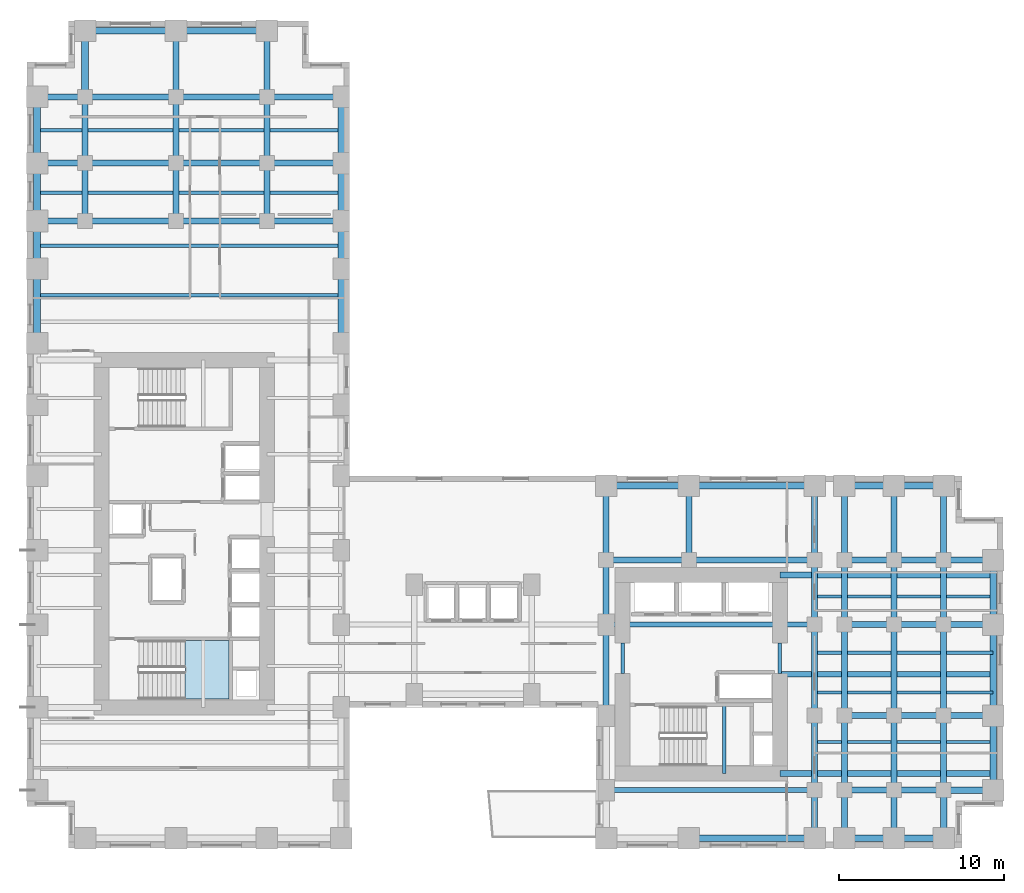
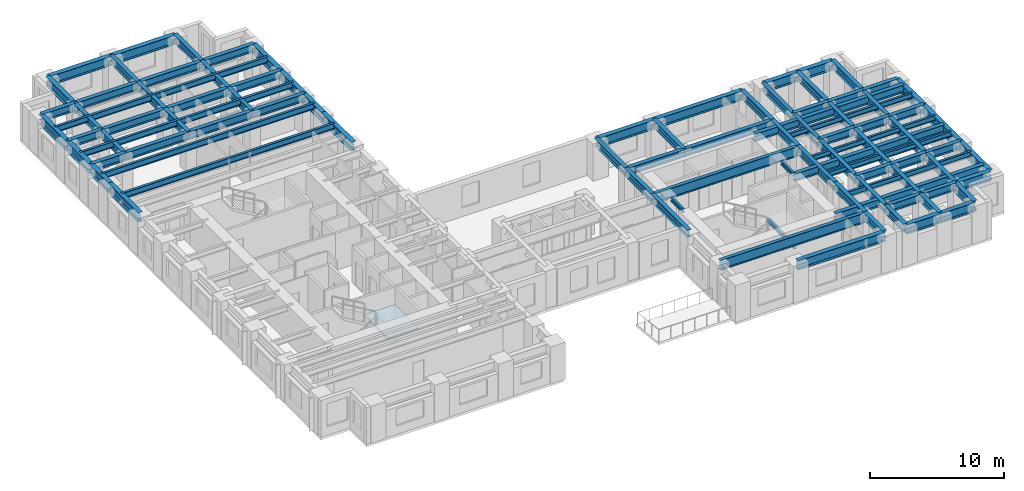
# One storey, part 2 of 12: 95 beams, 1 slab, 1 element without a shape of its own.
"""IFC4 building model written with IfcOpenShell, lengths in metres."""

from ifc_helpers import new_model, si_unit, direction, frame, origin, origin_2d, place, context, subcontext, project, spatial, polyline, i_section, outline, extrude, source, transform, mapped, material, layer, layer_set, material_profile, profile_set, type_object, element, aggregate, save


model = new_model("IFC4")

# Units and contexts
model_context = context("Model", 3, precision=1e-05, world=origin(), true_north=direction((0.0, 1.0)))
body_context = subcontext(model_context, "Body", "Model", "MODEL_VIEW")
ifc_project = project(units=[si_unit("LENGTHUNIT", "METRE"), si_unit("AREAUNIT", "SQUARE_METRE"), si_unit("VOLUMEUNIT", "CUBIC_METRE"), si_unit("PLANEANGLEUNIT", "RADIAN"), si_unit("MASSUNIT", "GRAM", prefix="KILO")], contexts=[model_context])

# Site, building, storey
site_placement = place(None, origin())
site = spatial("IfcSite", under=ifc_project, at=site_placement, CompositionType="ELEMENT")
building_placement = place(site_placement, origin())
building = spatial("IfcBuilding", under=site, at=building_placement, Name="Kharzan Plaza Tower", CompositionType="ELEMENT")
storey_placement = place(building_placement, frame((0.0, 0.0, 33.300048828125)))
storey = spatial("IfcBuildingStorey", under=building, at=storey_placement, Name="L08", CompositionType="ELEMENT", Elevation=33.300048828125)

# Beams
ifc_material_1 = material(Name="Steel S355", Category="steel")
ifc_material_profile_1 = material_profile(ifc_material_1, i_section(OverallWidth=0.205078125, OverallDepth=0.35400390625, WebThickness=0.009521484375, FlangeThickness=0.016845703125, at=origin_2d()), Name="W360x79")
ifc_profile_set_1 = profile_set([ifc_material_profile_1], Name="Steel S355")
beam_type_1 = type_object("IfcBeamType", Name="BM-LNT360", PredefinedType="LINTEL", material=ifc_profile_set_1)
shared_shape_1 = source(origin(), body_context, "Body", "SweptSolid", [
    extrude(i_section(OverallWidth=0.205078125, OverallDepth=0.35400390625, WebThickness=0.009521484375, FlangeThickness=0.016845703125, at=origin_2d()), origin(), (0.0, 0.0, 1.0), 1.849853515625),
])
for number, where, z_axis, x_axis, name in (
    (1, (45.5, 10.550048828125, 3.202880859375), (0.0, 1.0, 0.0), (-1.0, 0.0, 0.0), "L08 CORE-B coupling lintel LN1-WE"),
    (2, (36.0, 10.550048828125, 3.202880859375), (0.0, 1.0, 0.0), (-1.0, 0.0, 0.0), "L08 CORE-B coupling lintel LN1-WW"),
):
    element("IfcBeam", number, at=place(storey_placement, frame(where, z_axis=z_axis, x_axis=x_axis)), inside=storey, type_object=beam_type_1, Name=name, PredefinedType="LINTEL", context=body_context, shape_type="MappedRepresentation", body=[
        mapped(shared_shape_1, transform((0.0, 0.0, 0.0), x_axis=(1.0, 0.0, 0.0), y_axis=(0.0, 1.0, 0.0), z_axis=(0.0, 0.0, 1.0))),
    ])
shared_shape_2 = source(origin(), body_context, "Body", "SweptSolid", [
    extrude(i_section(OverallWidth=0.205078125, OverallDepth=0.35400390625, WebThickness=0.009521484375, FlangeThickness=0.016845703125, at=origin_2d()), origin(), (0.0, 0.0, 1.0), 4.155029296875),
])
beam_1_placement = place(storey_placement, frame((42.14990234375, 4.5, 1.4228515625), z_axis=(0.0, 1.0, 0.0), x_axis=(-1.0, 0.0, 0.0)))
element("IfcBeam", 3, at=beam_1_placement, inside=storey, type_object=beam_type_1, Name="L08 Stair ST-3 Half-Landing Beam", PredefinedType="LINTEL", context=body_context, shape_type="MappedRepresentation", body=[
    mapped(shared_shape_2, transform((0.0, 0.0, 0.0), x_axis=(1.0, 0.0, 0.0), y_axis=(0.0, 1.0, 0.0), z_axis=(0.0, 0.0, 1.0))),
])
ifc_material_profile_2 = material_profile(ifc_material_1, i_section(OverallWidth=0.304931640625, OverallDepth=0.9189453125, WebThickness=0.017333984375, FlangeThickness=0.02783203125, at=origin_2d()), Name="W920x253")
ifc_profile_set_2 = profile_set([ifc_material_profile_2], Name="Steel S355")
beam_type_2 = type_object("IfcBeamType", Name="BM-FG920B", PredefinedType="BEAM", material=ifc_profile_set_2)
shared_shape_3 = source(origin(), body_context, "Body", "SweptSolid", [
    extrude(i_section(OverallWidth=0.304931640625, OverallDepth=0.9189453125, WebThickness=0.017333984375, FlangeThickness=0.02783203125, at=origin_2d()), origin(), (0.0, 0.0, 1.0), 12.60009765625),
])
for number, where, z_axis, x_axis, name in (
    (4, (35.0, 3.5, 2.92041015625), (1.0, 0.0, 0.0), (0.0, 1.0, 0.0), "L08 Primary Floor Girder"),
    (5, (35.0, 13.5, 2.92041015625), (1.0, 0.0, 0.0), (0.0, 1.0, 0.0), "L08 Primary Floor Girder"),
):
    element("IfcBeam", number, at=place(storey_placement, frame(where, z_axis=z_axis, x_axis=x_axis)), inside=storey, type_object=beam_type_2, Name=name, PredefinedType="BEAM", context=body_context, shape_type="MappedRepresentation", body=[
        mapped(shared_shape_3, transform((0.0, 0.0, 0.0), x_axis=(1.0, 0.0, 0.0), y_axis=(0.0, 1.0, 0.0), z_axis=(0.0, 0.0, 1.0))),
    ])
ifc_material_profile_3 = material_profile(ifc_material_1, i_section(OverallWidth=0.35498046875, OverallDepth=0.695068359375, WebThickness=0.015380859375, FlangeThickness=0.02490234375, at=origin_2d()), Name="W690x217")
ifc_profile_set_3 = profile_set([ifc_material_profile_3], Name="Steel S355")
beam_type_3 = type_object("IfcBeamType", Name="BM-FG690A", PredefinedType="BEAM", material=ifc_profile_set_3)
shared_shape_4 = source(origin(), body_context, "Body", "SweptSolid", [
    extrude(i_section(OverallWidth=0.35498046875, OverallDepth=0.695068359375, WebThickness=0.015380859375, FlangeThickness=0.02490234375, at=origin_2d()), origin(), (0.0, 0.0, 1.0), 4.5),
])
for number, where, z_axis, x_axis, name in (
    (6, (35.0, 17.39990234375, 3.032470703125), (0.0, 1.0, 0.0), (-1.0, 0.0, 0.0), "L08 Interior Frame Girder"),
    (7, (40.0, 17.39990234375, 3.032470703125), (0.0, 1.0, 0.0), (-1.0, 0.0, 0.0), "L08 Interior Frame Girder"),
    (8, (47.60009765625, 3.5, 3.032470703125), (0.0, 1.0, 0.0), (-1.0, 0.0, 0.0), "L08 Interior Frame Girder"),
    (9, (47.60009765625, 17.39990234375, 3.032470703125), (0.0, 1.0, 0.0), (-1.0, 0.0, 0.0), "L08 Interior Frame Girder"),
    (10, (49.39990234375, 3.5, 3.032470703125), (0.0, 1.0, 0.0), (-1.0, 0.0, 0.0), "L08 Interior Frame Girder"),
    (11, (49.39990234375, 17.39990234375, 3.032470703125), (0.0, 1.0, 0.0), (-1.0, 0.0, 0.0), "L08 Interior Frame Girder"),
    (12, (52.39990234375, 3.5, 3.032470703125), (0.0, 1.0, 0.0), (-1.0, 0.0, 0.0), "L08 Interior Frame Girder"),
    (13, (52.39990234375, 17.39990234375, 3.032470703125), (0.0, 1.0, 0.0), (-1.0, 0.0, 0.0), "L08 Interior Frame Girder"),
    (14, (55.39990234375, 3.5, 3.032470703125), (0.0, 1.0, 0.0), (-1.0, 0.0, 0.0), "L08 Interior Frame Girder"),
    (15, (55.39990234375, 17.39990234375, 3.032470703125), (0.0, 1.0, 0.0), (-1.0, 0.0, 0.0), "L08 Interior Frame Girder"),
    (16, (14.5, 41.39990234375, 3.032470703125), (1.0, 0.0, 0.0), (0.0, 1.0, 0.0), "L08 Primary Floor Girder"),
    (17, (14.5, 45.39990234375, 3.032470703125), (1.0, 0.0, 0.0), (0.0, 1.0, 0.0), "L08 Primary Floor Girder"),
    (18, (14.5, 37.89990234375, 3.032470703125), (1.0, 0.0, 0.0), (0.0, 1.0, 0.0), "L08 Primary Floor Girder"),
):
    element("IfcBeam", number, at=place(storey_placement, frame(where, z_axis=z_axis, x_axis=x_axis)), inside=storey, type_object=beam_type_3, Name=name, PredefinedType="BEAM", context=body_context, shape_type="MappedRepresentation", body=[
        mapped(shared_shape_4, transform((0.0, 0.0, 0.0), x_axis=(1.0, 0.0, 0.0), y_axis=(0.0, 1.0, 0.0), z_axis=(0.0, 0.0, 1.0))),
    ])
shared_shape_5 = source(origin(), body_context, "Body", "SweptSolid", [
    extrude(i_section(OverallWidth=0.35498046875, OverallDepth=0.695068359375, WebThickness=0.015380859375, FlangeThickness=0.02490234375, at=origin_2d()), origin(), (0.0, 0.0, 1.0), 3.89990234375),
])
for number, where, z_axis, x_axis, name in (
    (19, (35.0, 13.5, 3.032470703125), (0.0, 1.0, 0.0), (-1.0, 0.0, 0.0), "L08 Interior Frame Girder"),
    (20, (47.60009765625, 13.5, 3.032470703125), (0.0, 1.0, 0.0), (-1.0, 0.0, 0.0), "L08 Interior Frame Girder"),
    (21, (49.39990234375, 13.5, 3.032470703125), (0.0, 1.0, 0.0), (-1.0, 0.0, 0.0), "L08 Interior Frame Girder"),
    (22, (52.39990234375, 13.5, 3.032470703125), (0.0, 1.0, 0.0), (-1.0, 0.0, 0.0), "L08 Interior Frame Girder"),
    (23, (55.39990234375, 13.5, 3.032470703125), (0.0, 1.0, 0.0), (-1.0, 0.0, 0.0), "L08 Interior Frame Girder"),
):
    element("IfcBeam", number, at=place(storey_placement, frame(where, z_axis=z_axis, x_axis=x_axis)), inside=storey, type_object=beam_type_3, Name=name, PredefinedType="BEAM", context=body_context, shape_type="MappedRepresentation", body=[
        mapped(shared_shape_5, transform((0.0, 0.0, 0.0), x_axis=(1.0, 0.0, 0.0), y_axis=(0.0, 1.0, 0.0), z_axis=(0.0, 0.0, 1.0))),
    ])
shared_shape_6 = source(origin(), body_context, "Body", "SweptSolid", [
    extrude(i_section(OverallWidth=0.35498046875, OverallDepth=0.695068359375, WebThickness=0.015380859375, FlangeThickness=0.02490234375, at=origin_2d()), origin(), (0.0, 0.0, 1.0), 12.89990234375),
])
for number, where, z_axis, x_axis, name in (
    (24, (45.5, 4.5, 3.032470703125), (1.0, 0.0, 0.0), (0.0, 1.0, 0.0), "L08 Core-B East Floor Girder 1"),
    (25, (45.5, 10.5, 3.032470703125), (1.0, 0.0, 0.0), (0.0, 1.0, 0.0), "L08 Core-B East Floor Girder 2"),
    (26, (45.5, 16.5, 3.032470703125), (1.0, 0.0, 0.0), (0.0, 1.0, 0.0), "L08 Core-B East Floor Girder 3"),
):
    element("IfcBeam", number, at=place(storey_placement, frame(where, z_axis=z_axis, x_axis=x_axis)), inside=storey, type_object=beam_type_3, Name=name, PredefinedType="BEAM", context=body_context, shape_type="MappedRepresentation", body=[
        mapped(shared_shape_6, transform((0.0, 0.0, 0.0), x_axis=(1.0, 0.0, 0.0), y_axis=(0.0, 1.0, 0.0), z_axis=(0.0, 0.0, 1.0))),
    ])
shared_shape_7 = source(origin(), body_context, "Body", "SweptSolid", [
    extrude(i_section(OverallWidth=0.35498046875, OverallDepth=0.695068359375, WebThickness=0.015380859375, FlangeThickness=0.02490234375, at=origin_2d()), origin(), (0.0, 0.0, 1.0), 3.5),
])
for number, where, z_axis, x_axis, name in (
    (27, (3.5, 37.89990234375, 3.032470703125), (0.0, 1.0, 0.0), (-1.0, 0.0, 0.0), "L08 Interior Frame Girder"),
    (28, (9.0, 37.89990234375, 3.032470703125), (0.0, 1.0, 0.0), (-1.0, 0.0, 0.0), "L08 Interior Frame Girder"),
    (29, (14.5, 37.89990234375, 3.032470703125), (0.0, 1.0, 0.0), (-1.0, 0.0, 0.0), "L08 Interior Frame Girder"),
):
    element("IfcBeam", number, at=place(storey_placement, frame(where, z_axis=z_axis, x_axis=x_axis)), inside=storey, type_object=beam_type_3, Name=name, PredefinedType="BEAM", context=body_context, shape_type="MappedRepresentation", body=[
        mapped(shared_shape_7, transform((0.0, 0.0, 0.0), x_axis=(1.0, 0.0, 0.0), y_axis=(0.0, 1.0, 0.0), z_axis=(0.0, 0.0, 1.0))),
    ])
shared_shape_8 = source(origin(), body_context, "Body", "SweptSolid", [
    extrude(i_section(OverallWidth=0.35498046875, OverallDepth=0.695068359375, WebThickness=0.015380859375, FlangeThickness=0.02490234375, at=origin_2d()), origin(), (0.0, 0.0, 1.0), 4.0),
])
for number, where, z_axis, x_axis, name in (
    (30, (3.5, 41.39990234375, 3.032470703125), (0.0, 1.0, 0.0), (-1.0, 0.0, 0.0), "L08 Interior Frame Girder"),
    (31, (9.0, 41.39990234375, 3.032470703125), (0.0, 1.0, 0.0), (-1.0, 0.0, 0.0), "L08 Interior Frame Girder"),
    (32, (9.0, 45.39990234375, 3.032470703125), (0.0, 1.0, 0.0), (-1.0, 0.0, 0.0), "L08 Interior Frame Girder"),
    (33, (14.5, 41.39990234375, 3.032470703125), (0.0, 1.0, 0.0), (-1.0, 0.0, 0.0), "L08 Interior Frame Girder"),
    (34, (14.5, 45.39990234375, 3.032470703125), (0.0, 1.0, 0.0), (-1.0, 0.0, 0.0), "L08 Interior Frame Girder"),
):
    element("IfcBeam", number, at=place(storey_placement, frame(where, z_axis=z_axis, x_axis=x_axis)), inside=storey, type_object=beam_type_3, Name=name, PredefinedType="BEAM", context=body_context, shape_type="MappedRepresentation", body=[
        mapped(shared_shape_8, transform((0.0, 0.0, 0.0), x_axis=(1.0, 0.0, 0.0), y_axis=(0.0, 1.0, 0.0), z_axis=(0.0, 0.0, 1.0))),
    ])
shared_shape_9 = source(origin(), body_context, "Body", "SweptSolid", [
    extrude(i_section(OverallWidth=0.35498046875, OverallDepth=0.695068359375, WebThickness=0.015380859375, FlangeThickness=0.02490234375, at=origin_2d()), origin(), (0.0, 0.0, 1.0), 5.0),
])
beam_2_placement = place(storey_placement, frame((35.0, 17.39990234375, 3.032470703125), z_axis=(1.0, 0.0, 0.0), x_axis=(0.0, 1.0, 0.0)))
element("IfcBeam", 35, at=beam_2_placement, inside=storey, type_object=beam_type_3, Name="L08 Primary Floor Girder", PredefinedType="BEAM", context=body_context, shape_type="MappedRepresentation", body=[
    mapped(shared_shape_9, transform((0.0, 0.0, 0.0), x_axis=(1.0, 0.0, 0.0), y_axis=(0.0, 1.0, 0.0), z_axis=(0.0, 0.0, 1.0))),
])
shared_shape_10 = source(origin(), body_context, "Body", "SweptSolid", [
    extrude(i_section(OverallWidth=0.35498046875, OverallDepth=0.695068359375, WebThickness=0.015380859375, FlangeThickness=0.02490234375, at=origin_2d()), origin(), (0.0, 0.0, 1.0), 5.5),
])
for number, where, z_axis, x_axis, name in (
    (36, (35.0, 8.0, 3.032470703125), (0.0, 1.0, 0.0), (-1.0, 0.0, 0.0), "L08 Interior Frame Girder"),
    (37, (47.60009765625, 8.0, 3.032470703125), (0.0, 1.0, 0.0), (-1.0, 0.0, 0.0), "L08 Interior Frame Girder"),
    (38, (49.39990234375, 8.0, 3.032470703125), (0.0, 1.0, 0.0), (-1.0, 0.0, 0.0), "L08 Interior Frame Girder"),
    (39, (52.39990234375, 8.0, 3.032470703125), (0.0, 1.0, 0.0), (-1.0, 0.0, 0.0), "L08 Interior Frame Girder"),
    (40, (55.39990234375, 8.0, 3.032470703125), (0.0, 1.0, 0.0), (-1.0, 0.0, 0.0), "L08 Interior Frame Girder"),
    (41, (3.5, 45.39990234375, 3.032470703125), (1.0, 0.0, 0.0), (0.0, 1.0, 0.0), "L08 Primary Floor Girder"),
    (42, (9.0, 45.39990234375, 3.032470703125), (1.0, 0.0, 0.0), (0.0, 1.0, 0.0), "L08 Primary Floor Girder"),
    (43, (3.5, 37.89990234375, 3.032470703125), (1.0, 0.0, 0.0), (0.0, 1.0, 0.0), "L08 Primary Floor Girder"),
    (44, (9.0, 37.89990234375, 3.032470703125), (1.0, 0.0, 0.0), (0.0, 1.0, 0.0), "L08 Primary Floor Girder"),
    (45, (3.5, 41.39990234375, 3.032470703125), (1.0, 0.0, 0.0), (0.0, 1.0, 0.0), "L08 Primary Floor Girder"),
    (46, (9.0, 41.39990234375, 3.032470703125), (1.0, 0.0, 0.0), (0.0, 1.0, 0.0), "L08 Primary Floor Girder"),
):
    element("IfcBeam", number, at=place(storey_placement, frame(where, z_axis=z_axis, x_axis=x_axis)), inside=storey, type_object=beam_type_3, Name=name, PredefinedType="BEAM", context=body_context, shape_type="MappedRepresentation", body=[
        mapped(shared_shape_10, transform((0.0, 0.0, 0.0), x_axis=(1.0, 0.0, 0.0), y_axis=(0.0, 1.0, 0.0), z_axis=(0.0, 0.0, 1.0))),
    ])
shared_shape_11 = source(origin(), body_context, "Body", "SweptSolid", [
    extrude(i_section(OverallWidth=0.35498046875, OverallDepth=0.695068359375, WebThickness=0.015380859375, FlangeThickness=0.02490234375, at=origin_2d()), origin(), (0.0, 0.0, 1.0), 2.89990234375),
])
for number, where, z_axis, x_axis, name in (
    (47, (47.60009765625, 0.60009765625, 3.032470703125), (0.0, 1.0, 0.0), (-1.0, 0.0, 0.0), "L08 Interior Frame Girder"),
    (48, (49.39990234375, 0.60009765625, 3.032470703125), (0.0, 1.0, 0.0), (-1.0, 0.0, 0.0), "L08 Interior Frame Girder"),
    (49, (52.39990234375, 0.60009765625, 3.032470703125), (0.0, 1.0, 0.0), (-1.0, 0.0, 0.0), "L08 Interior Frame Girder"),
    (50, (0.60009765625, 45.39990234375, 3.032470703125), (1.0, 0.0, 0.0), (0.0, 1.0, 0.0), "L08 Primary Floor Girder"),
    (51, (0.60009765625, 37.89990234375, 3.032470703125), (1.0, 0.0, 0.0), (0.0, 1.0, 0.0), "L08 Primary Floor Girder"),
    (52, (0.60009765625, 41.39990234375, 3.032470703125), (1.0, 0.0, 0.0), (0.0, 1.0, 0.0), "L08 Primary Floor Girder"),
):
    element("IfcBeam", number, at=place(storey_placement, frame(where, z_axis=z_axis, x_axis=x_axis)), inside=storey, type_object=beam_type_3, Name=name, PredefinedType="BEAM", context=body_context, shape_type="MappedRepresentation", body=[
        mapped(shared_shape_11, transform((0.0, 0.0, 0.0), x_axis=(1.0, 0.0, 0.0), y_axis=(0.0, 1.0, 0.0), z_axis=(0.0, 0.0, 1.0))),
    ])
shared_shape_12 = source(origin(), body_context, "Body", "SweptSolid", [
    extrude(i_section(OverallWidth=0.35498046875, OverallDepth=0.695068359375, WebThickness=0.015380859375, FlangeThickness=0.02490234375, at=origin_2d()), origin(), (0.0, 0.0, 1.0), 3.0),
])
for number, where, z_axis, x_axis, name in (
    (53, (49.39990234375, 3.5, 3.032470703125), (1.0, 0.0, 0.0), (0.0, 1.0, 0.0), "L08 Primary Floor Girder"),
    (54, (52.39990234375, 3.5, 3.032470703125), (1.0, 0.0, 0.0), (0.0, 1.0, 0.0), "L08 Primary Floor Girder"),
    (55, (49.39990234375, 8.0, 3.032470703125), (1.0, 0.0, 0.0), (0.0, 1.0, 0.0), "L08 Primary Floor Girder"),
    (56, (52.39990234375, 8.0, 3.032470703125), (1.0, 0.0, 0.0), (0.0, 1.0, 0.0), "L08 Primary Floor Girder"),
    (57, (55.39990234375, 8.0, 3.032470703125), (1.0, 0.0, 0.0), (0.0, 1.0, 0.0), "L08 Primary Floor Girder"),
    (58, (49.39990234375, 13.5, 3.032470703125), (1.0, 0.0, 0.0), (0.0, 1.0, 0.0), "L08 Primary Floor Girder"),
    (59, (52.39990234375, 13.5, 3.032470703125), (1.0, 0.0, 0.0), (0.0, 1.0, 0.0), "L08 Primary Floor Girder"),
    (60, (55.39990234375, 13.5, 3.032470703125), (1.0, 0.0, 0.0), (0.0, 1.0, 0.0), "L08 Primary Floor Girder"),
    (61, (49.39990234375, 17.39990234375, 3.032470703125), (1.0, 0.0, 0.0), (0.0, 1.0, 0.0), "L08 Primary Floor Girder"),
    (62, (52.39990234375, 17.39990234375, 3.032470703125), (1.0, 0.0, 0.0), (0.0, 1.0, 0.0), "L08 Primary Floor Girder"),
    (63, (55.39990234375, 17.39990234375, 3.032470703125), (1.0, 0.0, 0.0), (0.0, 1.0, 0.0), "L08 Primary Floor Girder"),
):
    element("IfcBeam", number, at=place(storey_placement, frame(where, z_axis=z_axis, x_axis=x_axis)), inside=storey, type_object=beam_type_3, Name=name, PredefinedType="BEAM", context=body_context, shape_type="MappedRepresentation", body=[
        mapped(shared_shape_12, transform((0.0, 0.0, 0.0), x_axis=(1.0, 0.0, 0.0), y_axis=(0.0, 1.0, 0.0), z_axis=(0.0, 0.0, 1.0))),
    ])
shared_shape_13 = source(origin(), body_context, "Body", "SweptSolid", [
    extrude(i_section(OverallWidth=0.35498046875, OverallDepth=0.695068359375, WebThickness=0.015380859375, FlangeThickness=0.02490234375, at=origin_2d()), origin(), (0.0, 0.0, 1.0), 7.60009765625),
])
beam_3_placement = place(storey_placement, frame((40.0, 17.39990234375, 3.032470703125), z_axis=(1.0, 0.0, 0.0), x_axis=(0.0, 1.0, 0.0)))
element("IfcBeam", 64, at=beam_3_placement, inside=storey, type_object=beam_type_3, Name="L08 Primary Floor Girder", PredefinedType="BEAM", context=body_context, shape_type="MappedRepresentation", body=[
    mapped(shared_shape_13, transform((0.0, 0.0, 0.0), x_axis=(1.0, 0.0, 0.0), y_axis=(0.0, 1.0, 0.0), z_axis=(0.0, 0.0, 1.0))),
])
ifc_material_profile_4 = material_profile(ifc_material_1, i_section(OverallWidth=0.2099609375, OverallDepth=0.537109375, WebThickness=0.010986328125, FlangeThickness=0.017333984375, at=origin_2d()), Name="W530x101")
ifc_profile_set_4 = profile_set([ifc_material_profile_4], Name="Steel S355")
beam_type_4 = type_object("IfcBeamType", Name="BM-JST530B", PredefinedType="JOIST", material=ifc_profile_set_4)
shared_shape_14 = source(origin(), body_context, "Body", "SweptSolid", [
    extrude(i_section(OverallWidth=0.2099609375, OverallDepth=0.537109375, WebThickness=0.010986328125, FlangeThickness=0.017333984375, at=origin_2d()), origin(), (0.0, 0.0, 1.0), 18.39990234375),
])
for number, where, z_axis, x_axis, name in (
    (65, (0.60009765625, 33.39990234375, 3.111572265625), (1.0, 0.0, 0.0), (0.0, 1.0, 0.0), "L08 Wing A Composite Joist 05"),
    (66, (0.60009765625, 36.39990234375, 3.111572265625), (1.0, 0.0, 0.0), (0.0, 1.0, 0.0), "L08 Wing A Composite Joist 06"),
    (67, (0.60009765625, 39.60009765625, 3.111572265625), (1.0, 0.0, 0.0), (0.0, 1.0, 0.0), "L08 Wing A Composite Joist 07"),
    (68, (0.60009765625, 43.39990234375, 3.111572265625), (1.0, 0.0, 0.0), (0.0, 1.0, 0.0), "L08 Wing A Composite Joist 08"),
):
    element("IfcBeam", number, at=place(storey_placement, frame(where, z_axis=z_axis, x_axis=x_axis)), inside=storey, type_object=beam_type_4, Name=name, PredefinedType="JOIST", context=body_context, shape_type="MappedRepresentation", body=[
        mapped(shared_shape_14, transform((0.0, 0.0, 0.0), x_axis=(1.0, 0.0, 0.0), y_axis=(0.0, 1.0, 0.0), z_axis=(0.0, 0.0, 1.0))),
    ])
ifc_material_profile_5 = material_profile(ifc_material_1, i_section(OverallWidth=0.194091796875, OverallDepth=0.468994140625, WebThickness=0.011474609375, FlangeThickness=0.0205078125, at=origin_2d()), Name="W460x106")
ifc_profile_set_5 = profile_set([ifc_material_profile_5], Name="Steel S355")
beam_type_5 = type_object("IfcBeamType", Name="BM-JST460", PredefinedType="JOIST", material=ifc_profile_set_5)
shared_shape_15 = source(origin(), body_context, "Body", "SweptSolid", [
    extrude(i_section(OverallWidth=0.194091796875, OverallDepth=0.468994140625, WebThickness=0.011474609375, FlangeThickness=0.0205078125, at=origin_2d()), origin(), (0.0, 0.0, 1.0), 10.7998046875),
])
for number, where, z_axis, x_axis, name in (
    (69, (47.60009765625, 6.39990234375, 3.1455078125), (1.0, 0.0, 0.0), (0.0, 1.0, 0.0), "L08 Wing B Composite Joist 02"),
    (70, (47.60009765625, 9.39990234375, 3.1455078125), (1.0, 0.0, 0.0), (0.0, 1.0, 0.0), "L08 Wing B Composite Joist 03"),
    (71, (47.60009765625, 11.800048828125, 3.1455078125), (1.0, 0.0, 0.0), (0.0, 1.0, 0.0), "L08 Wing B Composite Joist 04"),
    (72, (47.60009765625, 15.199951171875, 3.1455078125), (1.0, 0.0, 0.0), (0.0, 1.0, 0.0), "L08 Wing B Composite Joist 05"),
):
    element("IfcBeam", number, at=place(storey_placement, frame(where, z_axis=z_axis, x_axis=x_axis)), inside=storey, type_object=beam_type_5, Name=name, PredefinedType="JOIST", context=body_context, shape_type="MappedRepresentation", body=[
        mapped(shared_shape_15, transform((0.0, 0.0, 0.0), x_axis=(1.0, 0.0, 0.0), y_axis=(0.0, 1.0, 0.0), z_axis=(0.0, 0.0, 1.0))),
    ])
ifc_material_profile_6 = material_profile(ifc_material_1, i_section(OverallWidth=0.40087890625, OverallDepth=0.85498046875, WebThickness=0.018310546875, FlangeThickness=0.029296875, at=origin_2d()), Name="W840x299")
ifc_profile_set_6 = profile_set([ifc_material_profile_6], Name="Steel S355")
beam_type_6 = type_object("IfcBeamType", Name="BM-SP840A", PredefinedType="SPANDREL", material=ifc_profile_set_6)
shared_shape_16 = source(origin(), body_context, "Body", "SweptSolid", [
    extrude(i_section(OverallWidth=0.40087890625, OverallDepth=0.85498046875, WebThickness=0.018310546875, FlangeThickness=0.029296875, at=origin_2d()), origin(), (0.0, 0.0, 1.0), 5.0),
])
beam_4_placement = place(storey_placement, frame((35.0, 21.89990234375, 2.952392578125), z_axis=(1.0, 0.0, 0.0), x_axis=(0.0, 1.0, 0.0)))
element("IfcBeam", 73, at=beam_4_placement, inside=storey, type_object=beam_type_6, Name="L08 Perimeter Tube Spandrel", PredefinedType="SPANDREL", context=body_context, shape_type="MappedRepresentation", body=[
    mapped(shared_shape_16, transform((0.0, 0.0, 0.0), x_axis=(1.0, 0.0, 0.0), y_axis=(0.0, 1.0, 0.0), z_axis=(0.0, 0.0, 1.0))),
])
shared_shape_17 = source(origin(), body_context, "Body", "SweptSolid", [
    extrude(i_section(OverallWidth=0.40087890625, OverallDepth=0.85498046875, WebThickness=0.018310546875, FlangeThickness=0.029296875, at=origin_2d()), origin(), (0.0, 0.0, 1.0), 4.5),
])
for number, where, z_axis, x_axis, name in (
    (74, (0.60009765625, 30.5, 2.952392578125), (0.0, 1.0, 0.0), (-1.0, 0.0, 0.0), "L08 Perimeter Tube Spandrel"),
    (75, (19.0, 30.5, 2.952392578125), (0.0, 1.0, 0.0), (-1.0, 0.0, 0.0), "L08 Perimeter Tube Spandrel"),
    (76, (58.39990234375, 3.5, 2.952392578125), (0.0, 1.0, 0.0), (-1.0, 0.0, 0.0), "L08 Perimeter Tube Spandrel"),
):
    element("IfcBeam", number, at=place(storey_placement, frame(where, z_axis=z_axis, x_axis=x_axis)), inside=storey, type_object=beam_type_6, Name=name, PredefinedType="SPANDREL", context=body_context, shape_type="MappedRepresentation", body=[
        mapped(shared_shape_17, transform((0.0, 0.0, 0.0), x_axis=(1.0, 0.0, 0.0), y_axis=(0.0, 1.0, 0.0), z_axis=(0.0, 0.0, 1.0))),
    ])
shared_shape_18 = source(origin(), body_context, "Body", "SweptSolid", [
    extrude(i_section(OverallWidth=0.40087890625, OverallDepth=0.85498046875, WebThickness=0.018310546875, FlangeThickness=0.029296875, at=origin_2d()), origin(), (0.0, 0.0, 1.0), 2.89990234375),
])
for number, where, z_axis, x_axis, name in (
    (77, (0.60009765625, 35.0, 2.952392578125), (0.0, 1.0, 0.0), (-1.0, 0.0, 0.0), "L08 Perimeter Tube Spandrel"),
    (78, (19.0, 35.0, 2.952392578125), (0.0, 1.0, 0.0), (-1.0, 0.0, 0.0), "L08 Perimeter Tube Spandrel"),
    (79, (55.39990234375, 0.60009765625, 2.952392578125), (0.0, 1.0, 0.0), (-1.0, 0.0, 0.0), "L08 Perimeter Tube Spandrel"),
):
    element("IfcBeam", number, at=place(storey_placement, frame(where, z_axis=z_axis, x_axis=x_axis)), inside=storey, type_object=beam_type_6, Name=name, PredefinedType="SPANDREL", context=body_context, shape_type="MappedRepresentation", body=[
        mapped(shared_shape_18, transform((0.0, 0.0, 0.0), x_axis=(1.0, 0.0, 0.0), y_axis=(0.0, 1.0, 0.0), z_axis=(0.0, 0.0, 1.0))),
    ])
shared_shape_19 = source(origin(), body_context, "Body", "SweptSolid", [
    extrude(i_section(OverallWidth=0.40087890625, OverallDepth=0.85498046875, WebThickness=0.018310546875, FlangeThickness=0.029296875, at=origin_2d()), origin(), (0.0, 0.0, 1.0), 3.5),
])
for number, where, z_axis, x_axis, name in (
    (80, (0.60009765625, 37.89990234375, 2.952392578125), (0.0, 1.0, 0.0), (-1.0, 0.0, 0.0), "L08 Perimeter Tube Spandrel"),
    (81, (19.0, 37.89990234375, 2.952392578125), (0.0, 1.0, 0.0), (-1.0, 0.0, 0.0), "L08 Perimeter Tube Spandrel"),
):
    element("IfcBeam", number, at=place(storey_placement, frame(where, z_axis=z_axis, x_axis=x_axis)), inside=storey, type_object=beam_type_6, Name=name, PredefinedType="SPANDREL", context=body_context, shape_type="MappedRepresentation", body=[
        mapped(shared_shape_19, transform((0.0, 0.0, 0.0), x_axis=(1.0, 0.0, 0.0), y_axis=(0.0, 1.0, 0.0), z_axis=(0.0, 0.0, 1.0))),
    ])
shared_shape_20 = source(origin(), body_context, "Body", "SweptSolid", [
    extrude(i_section(OverallWidth=0.40087890625, OverallDepth=0.85498046875, WebThickness=0.018310546875, FlangeThickness=0.029296875, at=origin_2d()), origin(), (0.0, 0.0, 1.0), 4.0),
])
for number, where, z_axis, x_axis, name in (
    (82, (0.60009765625, 41.39990234375, 2.952392578125), (0.0, 1.0, 0.0), (-1.0, 0.0, 0.0), "L08 Perimeter Tube Spandrel"),
    (83, (3.5, 45.39990234375, 2.952392578125), (0.0, 1.0, 0.0), (-1.0, 0.0, 0.0), "L08 Perimeter Tube Spandrel"),
    (84, (19.0, 41.39990234375, 2.952392578125), (0.0, 1.0, 0.0), (-1.0, 0.0, 0.0), "L08 Perimeter Tube Spandrel"),
):
    element("IfcBeam", number, at=place(storey_placement, frame(where, z_axis=z_axis, x_axis=x_axis)), inside=storey, type_object=beam_type_6, Name=name, PredefinedType="SPANDREL", context=body_context, shape_type="MappedRepresentation", body=[
        mapped(shared_shape_20, transform((0.0, 0.0, 0.0), x_axis=(1.0, 0.0, 0.0), y_axis=(0.0, 1.0, 0.0), z_axis=(0.0, 0.0, 1.0))),
    ])
shared_shape_21 = source(origin(), body_context, "Body", "SweptSolid", [
    extrude(i_section(OverallWidth=0.40087890625, OverallDepth=0.85498046875, WebThickness=0.018310546875, FlangeThickness=0.029296875, at=origin_2d()), origin(), (0.0, 0.0, 1.0), 5.5),
])
for number, where, z_axis, x_axis, name in (
    (85, (58.39990234375, 8.0, 2.952392578125), (0.0, 1.0, 0.0), (-1.0, 0.0, 0.0), "L08 Perimeter Tube Spandrel"),
    (86, (3.5, 49.39990234375, 2.952392578125), (1.0, 0.0, 0.0), (0.0, 1.0, 0.0), "L08 Perimeter Tube Spandrel"),
    (87, (9.0, 49.39990234375, 2.952392578125), (1.0, 0.0, 0.0), (0.0, 1.0, 0.0), "L08 Perimeter Tube Spandrel"),
):
    element("IfcBeam", number, at=place(storey_placement, frame(where, z_axis=z_axis, x_axis=x_axis)), inside=storey, type_object=beam_type_6, Name=name, PredefinedType="SPANDREL", context=body_context, shape_type="MappedRepresentation", body=[
        mapped(shared_shape_21, transform((0.0, 0.0, 0.0), x_axis=(1.0, 0.0, 0.0), y_axis=(0.0, 1.0, 0.0), z_axis=(0.0, 0.0, 1.0))),
    ])
shared_shape_22 = source(origin(), body_context, "Body", "SweptSolid", [
    extrude(i_section(OverallWidth=0.40087890625, OverallDepth=0.85498046875, WebThickness=0.018310546875, FlangeThickness=0.029296875, at=origin_2d()), origin(), (0.0, 0.0, 1.0), 3.89990234375),
])
beam_5_placement = place(storey_placement, frame((58.39990234375, 13.5, 2.952392578125), z_axis=(0.0, 1.0, 0.0), x_axis=(-1.0, 0.0, 0.0)))
element("IfcBeam", 88, at=beam_5_placement, inside=storey, type_object=beam_type_6, Name="L08 Perimeter Tube Spandrel", PredefinedType="SPANDREL", context=body_context, shape_type="MappedRepresentation", body=[
    mapped(shared_shape_22, transform((0.0, 0.0, 0.0), x_axis=(1.0, 0.0, 0.0), y_axis=(0.0, 1.0, 0.0), z_axis=(0.0, 0.0, 1.0))),
])
shared_shape_23 = source(origin(), body_context, "Body", "SweptSolid", [
    extrude(i_section(OverallWidth=0.40087890625, OverallDepth=0.85498046875, WebThickness=0.018310546875, FlangeThickness=0.029296875, at=origin_2d()), origin(), (0.0, 0.0, 1.0), 7.60009765625),
])
for number, where, z_axis, x_axis, name in (
    (89, (40.0, 0.60009765625, 2.952392578125), (1.0, 0.0, 0.0), (0.0, 1.0, 0.0), "L08 Perimeter Tube Spandrel"),
    (90, (40.0, 21.89990234375, 2.952392578125), (1.0, 0.0, 0.0), (0.0, 1.0, 0.0), "L08 Perimeter Tube Spandrel"),
):
    element("IfcBeam", number, at=place(storey_placement, frame(where, z_axis=z_axis, x_axis=x_axis)), inside=storey, type_object=beam_type_6, Name=name, PredefinedType="SPANDREL", context=body_context, shape_type="MappedRepresentation", body=[
        mapped(shared_shape_23, transform((0.0, 0.0, 0.0), x_axis=(1.0, 0.0, 0.0), y_axis=(0.0, 1.0, 0.0), z_axis=(0.0, 0.0, 1.0))),
    ])
shared_shape_24 = source(origin(), body_context, "Body", "SweptSolid", [
    extrude(i_section(OverallWidth=0.40087890625, OverallDepth=0.85498046875, WebThickness=0.018310546875, FlangeThickness=0.029296875, at=origin_2d()), origin(), (0.0, 0.0, 1.0), 3.0),
])
for number, where, z_axis, x_axis, name in (
    (91, (49.39990234375, 0.60009765625, 2.952392578125), (1.0, 0.0, 0.0), (0.0, 1.0, 0.0), "L08 Perimeter Tube Spandrel"),
    (92, (52.39990234375, 0.60009765625, 2.952392578125), (1.0, 0.0, 0.0), (0.0, 1.0, 0.0), "L08 Perimeter Tube Spandrel"),
    (93, (55.39990234375, 3.5, 2.952392578125), (1.0, 0.0, 0.0), (0.0, 1.0, 0.0), "L08 Perimeter Tube Spandrel"),
    (94, (49.39990234375, 21.89990234375, 2.952392578125), (1.0, 0.0, 0.0), (0.0, 1.0, 0.0), "L08 Perimeter Tube Spandrel"),
    (95, (52.39990234375, 21.89990234375, 2.952392578125), (1.0, 0.0, 0.0), (0.0, 1.0, 0.0), "L08 Perimeter Tube Spandrel"),
):
    element("IfcBeam", number, at=place(storey_placement, frame(where, z_axis=z_axis, x_axis=x_axis)), inside=storey, type_object=beam_type_6, Name=name, PredefinedType="SPANDREL", context=body_context, shape_type="MappedRepresentation", body=[
        mapped(shared_shape_24, transform((0.0, 0.0, 0.0), x_axis=(1.0, 0.0, 0.0), y_axis=(0.0, 1.0, 0.0), z_axis=(0.0, 0.0, 1.0))),
    ])

# Stair, slab
ifc_material_2 = material(Name="Concrete C40/50", Category="concrete")
stair_type = type_object("IfcStairType", Name="STR-ST-1", PredefinedType="HALF_TURN_STAIR", material=ifc_material_2)
stair_placement = place(storey_placement, origin())
stair = element("IfcStair", 96, at=stair_placement, inside=storey, type_object=stair_type, Name="L08 Protected Exit Stair ST-1", PredefinedType="HALF_TURN_STAIR")
ifc_layer = layer(ifc_material_2, 0.219970703125)
ifc_layer_set = layer_set([ifc_layer], Name="Concrete C40/50")
slab_type = type_object("IfcSlabType", Name="SL-LANDING-220", PredefinedType="LANDING", material=ifc_layer_set)
slab_placement = place(storey_placement, frame((0.0, 0.0, 1.599853515625)))
slab = element("IfcSlab", 97, at=slab_placement, type_object=slab_type, Name="ST-1 landing 1", PredefinedType="LANDING", context=body_context, shape_type="SweptSolid", body=[
    extrude(outline(polyline([(9.550048828125, 9.0), (12.199951171875, 9.0), (12.199951171875, 12.550048828125), (9.550048828125, 12.550048828125), (9.550048828125, 9.0)])), origin(), (0.0, 0.0, 1.0), 0.2001953125),
])
aggregate(stair, [slab])

save(model, "model.ifc")
